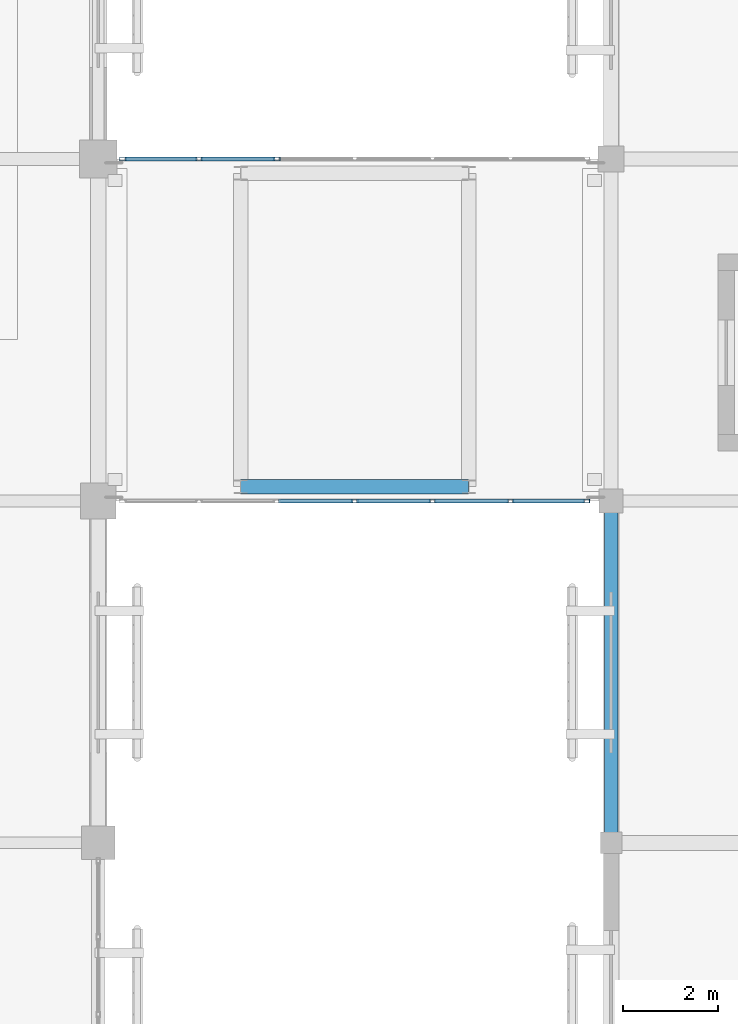
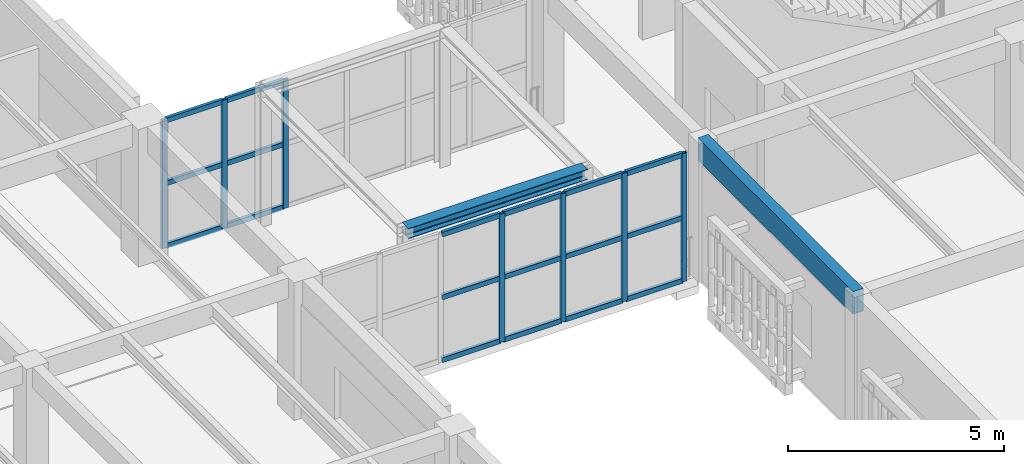
# One storey, part 25 of 170: 25 members, 2 beams, 2 elements without a shape of their own.
"""IFC4 building model written with IfcOpenShell, lengths in metres."""

from ifc_helpers import new_model, si_unit, direction, frame, origin, origin_2d, place, context, subcontext, project, spatial, rectangle, hollow_rectangle, i_section, extrude, material, layer, layer_set, material_profile, profile_set, type_object, element, aggregate, save


model = new_model("IFC4")

# Units and contexts
model_context = context("Model", 3, precision=1e-05, world=origin(), true_north=direction((0.0, 1.0)))
body_context = subcontext(model_context, "Body", "Model", "MODEL_VIEW")
ifc_project = project(units=[si_unit("LENGTHUNIT", "METRE"), si_unit("AREAUNIT", "SQUARE_METRE"), si_unit("VOLUMEUNIT", "CUBIC_METRE"), si_unit("PLANEANGLEUNIT", "RADIAN"), si_unit("MASSUNIT", "GRAM", prefix="KILO")], contexts=[model_context])

# Site, building, storey
site_placement = place(None, origin())
site = spatial("IfcSite", under=ifc_project, at=site_placement, CompositionType="ELEMENT")
building_placement = place(site_placement, origin())
building = spatial("IfcBuilding", under=site, at=building_placement, Name="Mazaris Harbour Polytechnic", CompositionType="ELEMENT")
storey_placement = place(building_placement, frame((0.0, 0.0, 5.39990234375)))
storey = spatial("IfcBuildingStorey", under=building, at=storey_placement, Name="L01", CompositionType="ELEMENT", Elevation=5.39990234375)

# Curtain wall, members
ifc_material_1 = material(Name="Anodised Bronze Aluminium and Low-E Glass", Category="aluminium")
ifc_layer = layer(ifc_material_1, 0.139892578125, Name="Anodised Bronze Aluminium and Low-E Glass")
ifc_layer_set = layer_set([ifc_layer], Name="Anodised Bronze Aluminium and Low-E Glass")
curtain_wall_type = type_object("IfcCurtainWallType", Name="Seismic Link Bridge Glazing", PredefinedType="NOTDEFINED", material=ifc_layer_set)
curtain_wall_1_placement = place(storey_placement, origin())
curtain_wall_1 = element("IfcCurtainWall", 1, at=curtain_wall_1_placement, inside=storey, type_object=curtain_wall_type, Name="PB-W1 L01 Bridge Glazing", PredefinedType="NOTDEFINED")
ifc_material_2 = material(Name="Anodised Bronze Steel S355", Category="steel")
ifc_material_profile_1 = material_profile(ifc_material_2, hollow_rectangle(XDim=0.080078125, YDim=0.139892578125, WallThickness=0.00634765625, at=origin_2d()), Name="RHS 80x140x6.3")
ifc_profile_set_1 = profile_set([ifc_material_profile_1], Name="Anodised Bronze Steel S355")
member_type_1 = type_object("IfcMemberType", Name="Curtain Mullion RHS80x140", PredefinedType="MULLION", material=ifc_profile_set_1)
member_1_placement = place(storey_placement, frame((48.60009765625, 21.60009765625, 0.0), z_axis=(0.0, 0.0, 1.0), x_axis=(0.0, 1.0, 0.0)))
member_1 = element("IfcMember", 2, at=member_1_placement, type_object=member_type_1, Name="CW-05 mullion 4", PredefinedType="MULLION", context=body_context, shape_type="SweptSolid", body=[
    extrude(hollow_rectangle(XDim=0.080078125, YDim=0.139892578125, WallThickness=0.00634765625, at=origin_2d()), origin(), (0.0, 0.0, 1.0), 3.635009765625),
])
member_2_placement = place(storey_placement, frame((50.239990234375, 21.60009765625, 0.0), z_axis=(0.0, 0.0, 1.0), x_axis=(0.0, 1.0, 0.0)))
member_2 = element("IfcMember", 3, at=member_2_placement, type_object=member_type_1, Name="CW-05 mullion 5", PredefinedType="MULLION", context=body_context, shape_type="SweptSolid", body=[
    extrude(hollow_rectangle(XDim=0.080078125, YDim=0.139892578125, WallThickness=0.00634765625, at=origin_2d()), origin(), (0.0, 0.0, 1.0), 3.635009765625),
])
member_3_placement = place(storey_placement, frame((51.8798828125, 21.60009765625, 0.0), z_axis=(0.0, 0.0, 1.0), x_axis=(0.0, 1.0, 0.0)))
member_3 = element("IfcMember", 4, at=member_3_placement, type_object=member_type_1, Name="CW-05 mullion 6", PredefinedType="MULLION", context=body_context, shape_type="SweptSolid", body=[
    extrude(hollow_rectangle(XDim=0.080078125, YDim=0.139892578125, WallThickness=0.00634765625, at=origin_2d()), origin(), (0.0, 0.0, 1.0), 3.635009765625),
])
member_4_placement = place(storey_placement, frame((53.47998046875, 21.60009765625, 0.0), z_axis=(0.0, 0.0, 1.0), x_axis=(0.0, 1.0, 0.0)))
member_4 = element("IfcMember", 5, at=member_4_placement, type_object=member_type_1, Name="CW-05 mullion 7", PredefinedType="MULLION", context=body_context, shape_type="SweptSolid", body=[
    extrude(hollow_rectangle(XDim=0.080078125, YDim=0.139892578125, WallThickness=0.00634765625, at=origin_2d()), origin(), (0.0, 0.0, 1.0), 3.635009765625),
])

curtain_wall_2_placement = place(storey_placement, origin())
curtain_wall_2 = element("IfcCurtainWall", 6, at=curtain_wall_2_placement, inside=storey, type_object=curtain_wall_type, Name="PB-W1 L01 Bridge Glazing", PredefinedType="NOTDEFINED")
member_5_placement = place(storey_placement, frame((46.9599609375, 28.800048828125, 0.0), z_axis=(0.0, 0.0, 1.0), x_axis=(0.0, -1.0, 0.0)))
member_5 = element("IfcMember", 7, at=member_5_placement, type_object=member_type_1, Name="CW-05 mullion 5", PredefinedType="MULLION", context=body_context, shape_type="SweptSolid", body=[
    extrude(hollow_rectangle(XDim=0.080078125, YDim=0.139892578125, WallThickness=0.00634765625, at=origin_2d()), origin(), (0.0, 0.0, 1.0), 3.635009765625),
])
member_6_placement = place(storey_placement, frame((45.320068359375, 28.800048828125, 0.0), z_axis=(0.0, 0.0, 1.0), x_axis=(0.0, -1.0, 0.0)))
member_6 = element("IfcMember", 8, at=member_6_placement, type_object=member_type_1, Name="CW-05 mullion 6", PredefinedType="MULLION", context=body_context, shape_type="SweptSolid", body=[
    extrude(hollow_rectangle(XDim=0.080078125, YDim=0.139892578125, WallThickness=0.00634765625, at=origin_2d()), origin(), (0.0, 0.0, 1.0), 3.635009765625),
])
member_7_placement = place(storey_placement, frame((43.719970703125, 28.800048828125, 0.0), z_axis=(0.0, 0.0, 1.0), x_axis=(0.0, -1.0, 0.0)))
member_7 = element("IfcMember", 9, at=member_7_placement, type_object=member_type_1, Name="CW-05 mullion 7", PredefinedType="MULLION", context=body_context, shape_type="SweptSolid", body=[
    extrude(hollow_rectangle(XDim=0.080078125, YDim=0.139892578125, WallThickness=0.00634765625, at=origin_2d()), origin(), (0.0, 0.0, 1.0), 3.635009765625),
])

# Member
ifc_material_3 = material(Name="Anodised Bronze Steel S355", Category="steel")
ifc_material_profile_2 = material_profile(ifc_material_3, hollow_rectangle(XDim=0.080078125, YDim=0.139892578125, WallThickness=0.00634765625, at=origin_2d()), Name="RHS 80x140x6.3")
ifc_profile_set_2 = profile_set([ifc_material_profile_2], Name="Anodised Bronze Steel S355")
member_type_2 = type_object("IfcMemberType", Name="Curtain Transom RHS80x140", PredefinedType="USERDEFINED", material=ifc_profile_set_2)
member_8_placement = place(storey_placement, frame((47.0, 21.60009765625, 0.0400390625), z_axis=(1.0, 0.0, 0.0), x_axis=(0.0, 1.0, 0.0)))
member_8 = element("IfcMember", 10, at=member_8_placement, type_object=member_type_2, Name="CW-05 transom 3.1", ObjectType="TRANSOM", PredefinedType="USERDEFINED", context=body_context, shape_type="SweptSolid", body=[
    extrude(hollow_rectangle(XDim=0.080078125, YDim=0.139892578125, WallThickness=0.00634765625, at=origin_2d()), origin(), (0.0, 0.0, 1.0), 1.56005859375),
])

member_9_placement = place(storey_placement, frame((47.0, 21.60009765625, 1.817626953125), z_axis=(1.0, 0.0, 0.0), x_axis=(0.0, 1.0, 0.0)))
member_9 = element("IfcMember", 11, at=member_9_placement, type_object=member_type_2, Name="CW-05 transom 3.2", ObjectType="TRANSOM", PredefinedType="USERDEFINED", context=body_context, shape_type="SweptSolid", body=[
    extrude(hollow_rectangle(XDim=0.080078125, YDim=0.139892578125, WallThickness=0.00634765625, at=origin_2d()), origin(), (0.0, 0.0, 1.0), 1.56005859375),
])

member_10_placement = place(storey_placement, frame((47.0, 21.60009765625, 3.59521484375), z_axis=(1.0, 0.0, 0.0), x_axis=(0.0, 1.0, 0.0)))
member_10 = element("IfcMember", 12, at=member_10_placement, type_object=member_type_2, Name="CW-05 transom 3.3", ObjectType="TRANSOM", PredefinedType="USERDEFINED", context=body_context, shape_type="SweptSolid", body=[
    extrude(hollow_rectangle(XDim=0.080078125, YDim=0.139892578125, WallThickness=0.00634765625, at=origin_2d()), origin(), (0.0, 0.0, 1.0), 1.56005859375),
])

member_11_placement = place(storey_placement, frame((48.639892578125, 21.60009765625, 0.0400390625), z_axis=(1.0, 0.0, 0.0), x_axis=(0.0, 1.0, 0.0)))
member_11 = element("IfcMember", 13, at=member_11_placement, type_object=member_type_2, Name="CW-05 transom 4.1", ObjectType="TRANSOM", PredefinedType="USERDEFINED", context=body_context, shape_type="SweptSolid", body=[
    extrude(hollow_rectangle(XDim=0.080078125, YDim=0.139892578125, WallThickness=0.00634765625, at=origin_2d()), origin(), (0.0, 0.0, 1.0), 1.56005859375),
])

member_12_placement = place(storey_placement, frame((48.639892578125, 21.60009765625, 1.817626953125), z_axis=(1.0, 0.0, 0.0), x_axis=(0.0, 1.0, 0.0)))
member_12 = element("IfcMember", 14, at=member_12_placement, type_object=member_type_2, Name="CW-05 transom 4.2", ObjectType="TRANSOM", PredefinedType="USERDEFINED", context=body_context, shape_type="SweptSolid", body=[
    extrude(hollow_rectangle(XDim=0.080078125, YDim=0.139892578125, WallThickness=0.00634765625, at=origin_2d()), origin(), (0.0, 0.0, 1.0), 1.56005859375),
])

member_13_placement = place(storey_placement, frame((48.639892578125, 21.60009765625, 3.59521484375), z_axis=(1.0, 0.0, 0.0), x_axis=(0.0, 1.0, 0.0)))
member_13 = element("IfcMember", 15, at=member_13_placement, type_object=member_type_2, Name="CW-05 transom 4.3", ObjectType="TRANSOM", PredefinedType="USERDEFINED", context=body_context, shape_type="SweptSolid", body=[
    extrude(hollow_rectangle(XDim=0.080078125, YDim=0.139892578125, WallThickness=0.00634765625, at=origin_2d()), origin(), (0.0, 0.0, 1.0), 1.56005859375),
])

member_14_placement = place(storey_placement, frame((50.280029296875, 21.60009765625, 0.0400390625), z_axis=(1.0, 0.0, 0.0), x_axis=(0.0, 1.0, 0.0)))
member_14 = element("IfcMember", 16, at=member_14_placement, type_object=member_type_2, Name="CW-05 transom 5.1", ObjectType="TRANSOM", PredefinedType="USERDEFINED", context=body_context, shape_type="SweptSolid", body=[
    extrude(hollow_rectangle(XDim=0.080078125, YDim=0.139892578125, WallThickness=0.00634765625, at=origin_2d()), origin(), (0.0, 0.0, 1.0), 1.56005859375),
])

member_15_placement = place(storey_placement, frame((50.280029296875, 21.60009765625, 1.817626953125), z_axis=(1.0, 0.0, 0.0), x_axis=(0.0, 1.0, 0.0)))
member_15 = element("IfcMember", 17, at=member_15_placement, type_object=member_type_2, Name="CW-05 transom 5.2", ObjectType="TRANSOM", PredefinedType="USERDEFINED", context=body_context, shape_type="SweptSolid", body=[
    extrude(hollow_rectangle(XDim=0.080078125, YDim=0.139892578125, WallThickness=0.00634765625, at=origin_2d()), origin(), (0.0, 0.0, 1.0), 1.56005859375),
])

member_16_placement = place(storey_placement, frame((50.280029296875, 21.60009765625, 3.59521484375), z_axis=(1.0, 0.0, 0.0), x_axis=(0.0, 1.0, 0.0)))
member_16 = element("IfcMember", 18, at=member_16_placement, type_object=member_type_2, Name="CW-05 transom 5.3", ObjectType="TRANSOM", PredefinedType="USERDEFINED", context=body_context, shape_type="SweptSolid", body=[
    extrude(hollow_rectangle(XDim=0.080078125, YDim=0.139892578125, WallThickness=0.00634765625, at=origin_2d()), origin(), (0.0, 0.0, 1.0), 1.56005859375),
])

member_17_placement = place(storey_placement, frame((51.919921875, 21.60009765625, 0.0400390625), z_axis=(1.0, 0.0, 0.0), x_axis=(0.0, 1.0, 0.0)))
member_17 = element("IfcMember", 19, at=member_17_placement, type_object=member_type_2, Name="CW-05 transom 6.1", ObjectType="TRANSOM", PredefinedType="USERDEFINED", context=body_context, shape_type="SweptSolid", body=[
    extrude(hollow_rectangle(XDim=0.080078125, YDim=0.139892578125, WallThickness=0.00634765625, at=origin_2d()), origin(), (0.0, 0.0, 1.0), 1.52001953125),
])

member_18_placement = place(storey_placement, frame((51.919921875, 21.60009765625, 1.817626953125), z_axis=(1.0, 0.0, 0.0), x_axis=(0.0, 1.0, 0.0)))
member_18 = element("IfcMember", 20, at=member_18_placement, type_object=member_type_2, Name="CW-05 transom 6.2", ObjectType="TRANSOM", PredefinedType="USERDEFINED", context=body_context, shape_type="SweptSolid", body=[
    extrude(hollow_rectangle(XDim=0.080078125, YDim=0.139892578125, WallThickness=0.00634765625, at=origin_2d()), origin(), (0.0, 0.0, 1.0), 1.52001953125),
])

member_19_placement = place(storey_placement, frame((51.919921875, 21.60009765625, 3.59521484375), z_axis=(1.0, 0.0, 0.0), x_axis=(0.0, 1.0, 0.0)))
member_19 = element("IfcMember", 21, at=member_19_placement, type_object=member_type_2, Name="CW-05 transom 6.3", ObjectType="TRANSOM", PredefinedType="USERDEFINED", context=body_context, shape_type="SweptSolid", body=[
    extrude(hollow_rectangle(XDim=0.080078125, YDim=0.139892578125, WallThickness=0.00634765625, at=origin_2d()), origin(), (0.0, 0.0, 1.0), 1.52001953125),
])

aggregate(curtain_wall_1, [member_1, member_2, member_3, member_4, member_8, member_9, member_10, member_11, member_12, member_13, member_14, member_15, member_16, member_17, member_18, member_19])

member_20_placement = place(storey_placement, frame((46.919921875, 28.800048828125, 0.0400390625), z_axis=(-1.0, 0.0, 0.0), x_axis=(0.0, -1.0, 0.0)))
member_20 = element("IfcMember", 22, at=member_20_placement, type_object=member_type_2, Name="CW-05 transom 5.1", ObjectType="TRANSOM", PredefinedType="USERDEFINED", context=body_context, shape_type="SweptSolid", body=[
    extrude(hollow_rectangle(XDim=0.080078125, YDim=0.139892578125, WallThickness=0.00634765625, at=origin_2d()), origin(), (0.0, 0.0, 1.0), 1.559814453125),
])

member_21_placement = place(storey_placement, frame((46.919921875, 28.800048828125, 1.817626953125), z_axis=(-1.0, 0.0, 0.0), x_axis=(0.0, -1.0, 0.0)))
member_21 = element("IfcMember", 23, at=member_21_placement, type_object=member_type_2, Name="CW-05 transom 5.2", ObjectType="TRANSOM", PredefinedType="USERDEFINED", context=body_context, shape_type="SweptSolid", body=[
    extrude(hollow_rectangle(XDim=0.080078125, YDim=0.139892578125, WallThickness=0.00634765625, at=origin_2d()), origin(), (0.0, 0.0, 1.0), 1.559814453125),
])

member_22_placement = place(storey_placement, frame((46.919921875, 28.800048828125, 3.59521484375), z_axis=(-1.0, 0.0, 0.0), x_axis=(0.0, -1.0, 0.0)))
member_22 = element("IfcMember", 24, at=member_22_placement, type_object=member_type_2, Name="CW-05 transom 5.3", ObjectType="TRANSOM", PredefinedType="USERDEFINED", context=body_context, shape_type="SweptSolid", body=[
    extrude(hollow_rectangle(XDim=0.080078125, YDim=0.139892578125, WallThickness=0.00634765625, at=origin_2d()), origin(), (0.0, 0.0, 1.0), 1.559814453125),
])

member_23_placement = place(storey_placement, frame((45.280029296875, 28.800048828125, 0.0400390625), z_axis=(-1.0, 0.0, 0.0), x_axis=(0.0, -1.0, 0.0)))
member_23 = element("IfcMember", 25, at=member_23_placement, type_object=member_type_2, Name="CW-05 transom 6.1", ObjectType="TRANSOM", PredefinedType="USERDEFINED", context=body_context, shape_type="SweptSolid", body=[
    extrude(hollow_rectangle(XDim=0.080078125, YDim=0.139892578125, WallThickness=0.00634765625, at=origin_2d()), origin(), (0.0, 0.0, 1.0), 1.52001953125),
])

member_24_placement = place(storey_placement, frame((45.280029296875, 28.800048828125, 1.817626953125), z_axis=(-1.0, 0.0, 0.0), x_axis=(0.0, -1.0, 0.0)))
member_24 = element("IfcMember", 26, at=member_24_placement, type_object=member_type_2, Name="CW-05 transom 6.2", ObjectType="TRANSOM", PredefinedType="USERDEFINED", context=body_context, shape_type="SweptSolid", body=[
    extrude(hollow_rectangle(XDim=0.080078125, YDim=0.139892578125, WallThickness=0.00634765625, at=origin_2d()), origin(), (0.0, 0.0, 1.0), 1.52001953125),
])

member_25_placement = place(storey_placement, frame((45.280029296875, 28.800048828125, 3.59521484375), z_axis=(-1.0, 0.0, 0.0), x_axis=(0.0, -1.0, 0.0)))
member_25 = element("IfcMember", 27, at=member_25_placement, type_object=member_type_2, Name="CW-05 transom 6.3", ObjectType="TRANSOM", PredefinedType="USERDEFINED", context=body_context, shape_type="SweptSolid", body=[
    extrude(hollow_rectangle(XDim=0.080078125, YDim=0.139892578125, WallThickness=0.00634765625, at=origin_2d()), origin(), (0.0, 0.0, 1.0), 1.52001953125),
])

aggregate(curtain_wall_2, [member_5, member_6, member_7, member_20, member_21, member_22, member_23, member_24, member_25])

# Beams
ifc_material_4 = material(Name="Glulam GL32h", Category="wood")
ifc_material_profile_3 = material_profile(ifc_material_4, rectangle(XDim=0.280029296875, YDim=0.639892578125, at=origin_2d()), Name="RECT280x640")
ifc_profile_set_3 = profile_set([ifc_material_profile_3], Name="Glulam GL32h")
beam_type_1 = type_object("IfcBeamType", Name="Glulam Girder 280x640 Exterior", PredefinedType="BEAM", material=ifc_profile_set_3)
beam_1_placement = place(storey_placement, frame((54.0, 14.39990234375, 3.60009765625), z_axis=(0.0, 1.0, 0.0), x_axis=(-1.0, 0.0, 0.0)))
element("IfcBeam", 28, at=beam_1_placement, inside=storey, type_object=beam_type_1, Name="V3 L01 Tie Girder 997", PredefinedType="BEAM", context=body_context, shape_type="SweptSolid", body=[
    extrude(rectangle(XDim=0.280029296875, YDim=0.639892578125, at=origin_2d()), origin(), (0.0, 0.0, 1.0), 7.2001953125),
])
ifc_material_5 = material(Name="Steel S355", Category="steel")
ifc_material_profile_4 = material_profile(ifc_material_5, i_section(OverallWidth=0.300048828125, OverallDepth=0.2900390625, WebThickness=0.008544921875, FlangeThickness=0.013916015625, FilletRadius=0.027099609375, at=origin_2d()), Name="HEA 300")
ifc_profile_set_4 = profile_set([ifc_material_profile_4], Name="Steel S355")
beam_type_2 = type_object("IfcBeamType", Name="Steel Beam HEA300 Exterior", PredefinedType="SPANDREL", material=ifc_profile_set_4)
beam_2_placement = place(storey_placement, frame((46.199951171875, 21.89990234375, 3.7900390625), z_axis=(1.0, 0.0, 0.0), x_axis=(0.0, 1.0, 0.0)))
element("IfcBeam", 29, at=beam_2_placement, inside=storey, type_object=beam_type_2, Name="PB-W1 L01 Bridge Beam 3407", PredefinedType="SPANDREL", context=body_context, shape_type="SweptSolid", body=[
    extrude(i_section(OverallWidth=0.300048828125, OverallDepth=0.2900390625, WebThickness=0.008544921875, FlangeThickness=0.013916015625, FilletRadius=0.027099609375, at=origin_2d()), origin(), (0.0, 0.0, 1.0), 4.800048828125),
])

save(model, "model.ifc")
